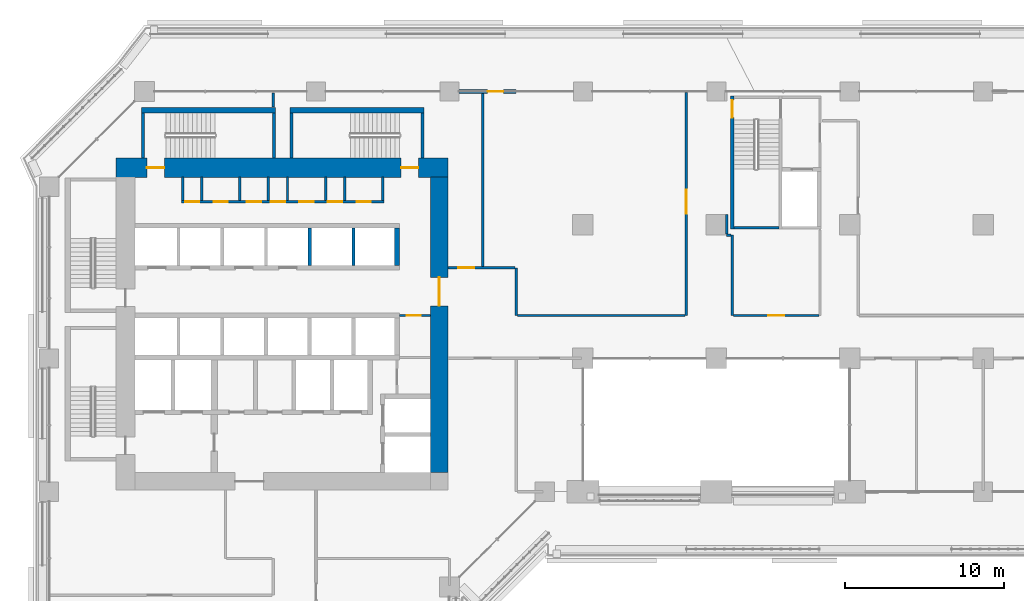
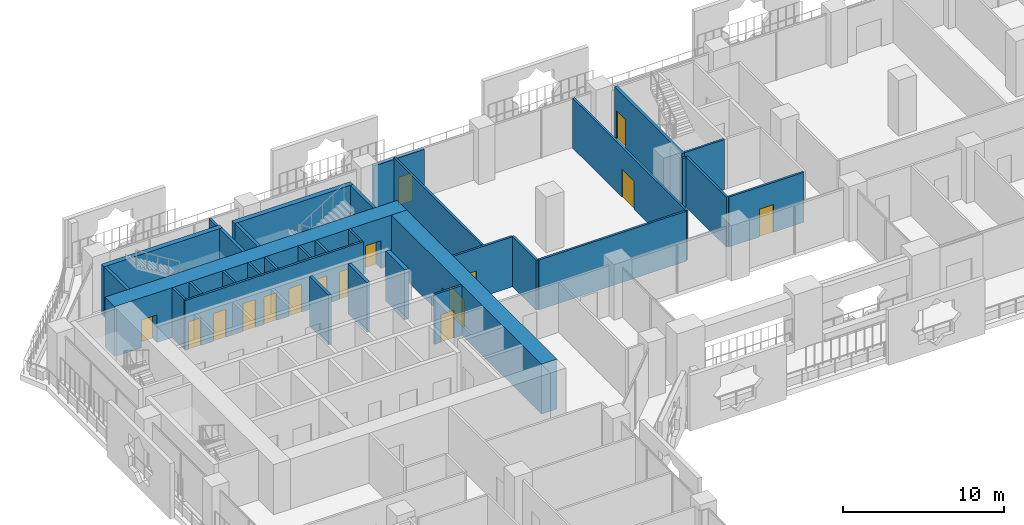
# One storey, part 16 of 28: 34 walls, 16 doors, 16 openings.
"""IFC4 building model written with IfcOpenShell, lengths in metres."""

from ifc_helpers import new_model, si_unit, direction, frame, frame_2d, origin, place, context, subcontext, project, spatial, rectangle, extrude, material, layer, layer_set, type_object, element, fill, save


model = new_model("IFC4")

# Units and contexts
model_context = context("Model", 3, precision=1e-05, world=origin(), true_north=direction((0.0, 1.0)))
body_context = subcontext(model_context, "Body", "Model", "MODEL_VIEW")
ifc_project = project(units=[si_unit("LENGTHUNIT", "METRE"), si_unit("AREAUNIT", "SQUARE_METRE"), si_unit("VOLUMEUNIT", "CUBIC_METRE"), si_unit("PLANEANGLEUNIT", "RADIAN"), si_unit("MASSUNIT", "GRAM", prefix="KILO")], contexts=[model_context])

# Site, building, storey
site_placement = place(None, origin())
site = spatial("IfcSite", under=ifc_project, at=site_placement, CompositionType="ELEMENT")
building_placement = place(site_placement, origin())
building = spatial("IfcBuilding", under=site, at=building_placement, Name="Kawkab Arch Medical Tower", CompositionType="ELEMENT")
storey_placement = place(building_placement, frame((0.0, 0.0, 47.60009765625)))
storey = spatial("IfcBuildingStorey", under=building, at=storey_placement, Name="L10", CompositionType="ELEMENT", Elevation=47.60009765625)

# Wall, opening, door
ifc_material_1 = material(Name="Concrete C60/75", Category="concrete")
ifc_layer_1 = layer(ifc_material_1, 1.10009765625)
ifc_layer_set_1 = layer_set([ifc_layer_1], Name="Concrete C60/75")
wall_type_1 = type_object("IfcWallType", Name="Core ring wall 1100 C60/75", PredefinedType="SHEAR", material=ifc_layer_set_1)
wall_1_placement = place(storey_placement, frame((24.550048828125, -24.0, 0.0), z_axis=(0.0, 0.0, 1.0), x_axis=(0.0, 1.0, 0.0)))
wall_1 = element("IfcWall", 1, at=wall_1_placement, inside=storey, type_object=wall_type_1, Name="L10 core wall", PredefinedType="SHEAR", context=body_context, shape_type="SweptSolid", body=[
    extrude(rectangle(XDim=18.60009765625, YDim=1.10009765625, at=frame_2d((9.300048828125, 0.0))), origin(), (0.0, 0.0, 1.0), 3.77978515625),
])
opening_1_placement = place(wall_1_placement, frame((10.5, 0.0, 0.0)))
opening_1 = element("IfcOpeningElement", 2, at=opening_1_placement, cuts=wall_1, Name="Opening PD", PredefinedType="OPENING", context=body_context, shape_type="SweptSolid", body=[
    extrude(rectangle(XDim=1.800048828125, YDim=2.10009765625, at=frame_2d((0.89990234375, 1.050048828125))), frame((0.0, 0.56005859375, 0.0), z_axis=(0.0, -1.0, 0.0), x_axis=(1.0, 0.0, 0.0)), (0.0, 0.0, 1.0), 1.1201171875),
])
ifc_material_2 = material(Name="Hollow metal fire door leaf")
door_type_1 = type_object("IfcDoorType", Name="Core entrance doors 1800", OperationType="DOUBLE_DOOR_SINGLE_SWING", PredefinedType="DOOR", material=ifc_material_2)
door_1_placement = place(opening_1_placement, origin())
door_1 = element("IfcDoor", 3, at=door_1_placement, inside=storey, type_object=door_type_1, Name="L10 East entrance doors", OperationType="DOUBLE_DOOR_SINGLE_SWING", OverallHeight=2.10009765625, OverallWidth=1.800048828125, PredefinedType="DOOR", context=body_context, shape_type="SweptSolid", body=[
    extrude(rectangle(XDim=1.800048828125, YDim=2.10009765625, at=frame_2d((0.89990234375, 1.050048828125))), frame((0.0, 0.02490234375, 0.0), z_axis=(0.0, -1.0, 0.0), x_axis=(1.0, 0.0, 0.0)), (0.0, 0.0, 1.0), 0.050048828125),
])
fill(opening_1, door_1)

# Wall, openings, doors
ifc_material_3 = material(Name="Concrete C60/75", Category="concrete")
ifc_layer_2 = layer(ifc_material_3, 1.199951171875)
ifc_layer_set_2 = layer_set([ifc_layer_2], Name="Concrete C60/75")
wall_type_2 = type_object("IfcWallType", Name="Core ring wall 1200 C60/75", PredefinedType="SHEAR", material=ifc_layer_set_2)
wall_2_placement = place(storey_placement, frame((4.199951171875, -4.800048828125, 0.0), z_axis=(0.0, 0.0, 1.0), x_axis=(1.0, 0.0, 0.0)))
wall_2 = element("IfcWall", 4, at=wall_2_placement, inside=storey, type_object=wall_type_2, Name="L10 core wall", PredefinedType="SHEAR", context=body_context, shape_type="SweptSolid", body=[
    extrude(rectangle(XDim=20.900146484375, YDim=1.199951171875, at=frame_2d((10.4501953125, 0.0))), origin(), (0.0, 0.0, 1.0), 3.77978515625),
])
opening_2_placement = place(wall_2_placement, frame((1.949951171875, 0.0, 0.0)))
opening_2 = element("IfcOpeningElement", 5, at=opening_2_placement, cuts=wall_2, Name="Opening SD", PredefinedType="OPENING", context=body_context, shape_type="SweptSolid", body=[
    extrude(rectangle(XDim=1.10009765625, YDim=2.10009765625, at=frame_2d((0.550048828125, 1.050048828125))), frame((0.0, 0.60986328125, 0.0), z_axis=(0.0, -1.0, 0.0), x_axis=(1.0, 0.0, 0.0)), (0.0, 0.0, 1.0), 1.219970703125),
])
opening_3_placement = place(wall_2_placement, frame((17.949951171875, 0.0, 0.0)))
opening_3 = element("IfcOpeningElement", 6, at=opening_3_placement, cuts=wall_2, Name="Opening SD", PredefinedType="OPENING", context=body_context, shape_type="SweptSolid", body=[
    extrude(rectangle(XDim=1.10009765625, YDim=2.10009765625, at=frame_2d((0.550048828125, 1.050048828125))), frame((0.0, 0.60986328125, 0.0), z_axis=(0.0, -1.0, 0.0), x_axis=(1.0, 0.0, 0.0)), (0.0, 0.0, 1.0), 1.219970703125),
])
ifc_material_4 = material(Name="Hollow metal fire door leaf")
door_type_2 = type_object("IfcDoorType", Name="Exit stair door 1100", OperationType="SINGLE_SWING_LEFT", PredefinedType="DOOR", material=ifc_material_4)
door_2_placement = place(opening_2_placement, origin())
door_2 = element("IfcDoor", 7, at=door_2_placement, inside=storey, type_object=door_type_2, Name="L10 Exit stair ST3 door", OperationType="SINGLE_SWING_LEFT", OverallHeight=2.10009765625, OverallWidth=1.10009765625, PredefinedType="DOOR", context=body_context, shape_type="SweptSolid", body=[
    extrude(rectangle(XDim=1.10009765625, YDim=2.10009765625, at=frame_2d((0.550048828125, 1.050048828125))), frame((0.0, 0.02490234375, 0.0), z_axis=(0.0, -1.0, 0.0), x_axis=(1.0, 0.0, 0.0)), (0.0, 0.0, 1.0), 0.050048828125),
])
fill(opening_2, door_2)
door_3_placement = place(opening_3_placement, origin())
door_3 = element("IfcDoor", 8, at=door_3_placement, inside=storey, type_object=door_type_2, Name="L10 Exit stair ST4 door", OperationType="SINGLE_SWING_LEFT", OverallHeight=2.10009765625, OverallWidth=1.10009765625, PredefinedType="DOOR", context=body_context, shape_type="SweptSolid", body=[
    extrude(rectangle(XDim=1.10009765625, YDim=2.10009765625, at=frame_2d((0.550048828125, 1.050048828125))), frame((0.0, 0.02490234375, 0.0), z_axis=(0.0, -1.0, 0.0), x_axis=(1.0, 0.0, 0.0)), (0.0, 0.0, 1.0), 0.050048828125),
])
fill(opening_3, door_3)

# Wall, opening, door
ifc_material_5 = material(Name="Gypsum board on steel studs", Category="steel")
ifc_layer_3 = layer(ifc_material_5, 0.14990234375)
ifc_layer_set_3 = layer_set([ifc_layer_3], Name="Gypsum board on steel studs")
wall_type_3 = type_object("IfcWallType", Name="Core room partition 150", PredefinedType="PARTITIONING", material=ifc_layer_set_3)
wall_3_placement = place(storey_placement, frame((22.050048828125, -14.10009765625, 0.0), z_axis=(0.0, 0.0, 1.0), x_axis=(1.0, 0.0, 0.0)))
wall_3 = element("IfcWall", 9, at=wall_3_placement, inside=storey, type_object=wall_type_3, Name="L10 core room partition", PredefinedType="PARTITIONING", context=body_context, shape_type="SweptSolid", body=[
    extrude(rectangle(XDim=1.949951171875, YDim=0.14990234375, at=frame_2d((0.97509765625, 0.0))), origin(), (0.0, 0.0, 1.0), 3.77978515625),
])
opening_4_placement = place(wall_3_placement, frame((0.449951171875, 0.0, 0.0)))
opening_4 = element("IfcOpeningElement", 10, at=opening_4_placement, cuts=wall_3, Name="Opening RD", PredefinedType="OPENING", context=body_context, shape_type="SweptSolid", body=[
    extrude(rectangle(XDim=0.89990234375, YDim=2.10009765625, at=frame_2d((0.449951171875, 1.050048828125))), frame((0.0, 0.0849609375, 0.0), z_axis=(0.0, -1.0, 0.0), x_axis=(1.0, 0.0, 0.0)), (0.0, 0.0, 1.0), 0.169921875),
])
ifc_material_6 = material(Name="Hollow metal fire door leaf")
door_type_3 = type_object("IfcDoorType", Name="Core room door 900", OperationType="SINGLE_SWING_LEFT", PredefinedType="DOOR", material=ifc_material_6)
door_4_placement = place(opening_4_placement, origin())
door_4 = element("IfcDoor", 11, at=door_4_placement, inside=storey, type_object=door_type_3, Name="L10 Linen store door", OperationType="SINGLE_SWING_LEFT", OverallHeight=2.10009765625, OverallWidth=0.89990234375, PredefinedType="DOOR", context=body_context, shape_type="SweptSolid", body=[
    extrude(rectangle(XDim=0.89990234375, YDim=2.10009765625, at=frame_2d((0.449951171875, 1.050048828125))), frame((0.0, 0.02490234375, 0.0), z_axis=(0.0, -1.0, 0.0), x_axis=(1.0, 0.0, 0.0)), (0.0, 0.0, 1.0), 0.050048828125),
])
fill(opening_4, door_4)

# Wall, openings, doors
wall_4_placement = place(storey_placement, frame((8.324951171875, -6.949951171875, 0.0), z_axis=(0.0, 0.0, 1.0), x_axis=(1.0, 0.0, 0.0)))
wall_4 = element("IfcWall", 12, at=wall_4_placement, inside=storey, type_object=wall_type_3, Name="L10 core room partition", PredefinedType="PARTITIONING", context=body_context, shape_type="SweptSolid", body=[
    extrude(rectangle(XDim=12.75, YDim=0.14990234375, at=frame_2d((6.375, 0.0))), origin(), (0.0, 0.0, 1.0), 3.77978515625),
])
opening_5_placement = place(wall_4_placement, frame((0.22509765625, 0.0, 0.0)))
opening_5 = element("IfcOpeningElement", 13, at=opening_5_placement, cuts=wall_4, Name="Opening RD", PredefinedType="OPENING", context=body_context, shape_type="SweptSolid", body=[
    extrude(rectangle(XDim=0.89990234375, YDim=2.10009765625, at=frame_2d((0.449951171875, 1.050048828125))), frame((0.0, 0.0849609375, 0.0), z_axis=(0.0, -1.0, 0.0), x_axis=(1.0, 0.0, 0.0)), (0.0, 0.0, 1.0), 0.169921875),
])
opening_6_placement = place(wall_4_placement, frame((2.02490234375, 0.0, 0.0)))
opening_6 = element("IfcOpeningElement", 14, at=opening_6_placement, cuts=wall_4, Name="Opening RD", PredefinedType="OPENING", context=body_context, shape_type="SweptSolid", body=[
    extrude(rectangle(XDim=0.89990234375, YDim=2.10009765625, at=frame_2d((0.449951171875, 1.050048828125))), frame((0.0, 0.0849609375, 0.0), z_axis=(0.0, -1.0, 0.0), x_axis=(1.0, 0.0, 0.0)), (0.0, 0.0, 1.0), 0.169921875),
])
opening_7_placement = place(wall_4_placement, frame((4.125, 0.0, 0.0)))
opening_7 = element("IfcOpeningElement", 15, at=opening_7_placement, cuts=wall_4, Name="Opening RD", PredefinedType="OPENING", context=body_context, shape_type="SweptSolid", body=[
    extrude(rectangle(XDim=0.89990234375, YDim=2.10009765625, at=frame_2d((0.449951171875, 1.050048828125))), frame((0.0, 0.0849609375, 0.0), z_axis=(0.0, -1.0, 0.0), x_axis=(1.0, 0.0, 0.0)), (0.0, 0.0, 1.0), 0.169921875),
])
opening_8_placement = place(wall_4_placement, frame((5.625, 0.0, 0.0)))
opening_8 = element("IfcOpeningElement", 16, at=opening_8_placement, cuts=wall_4, Name="Opening RD", PredefinedType="OPENING", context=body_context, shape_type="SweptSolid", body=[
    extrude(rectangle(XDim=0.89990234375, YDim=2.10009765625, at=frame_2d((0.449951171875, 1.050048828125))), frame((0.0, 0.0849609375, 0.0), z_axis=(0.0, -1.0, 0.0), x_axis=(1.0, 0.0, 0.0)), (0.0, 0.0, 1.0), 0.169921875),
])
opening_9_placement = place(wall_4_placement, frame((7.425048828125, 0.0, 0.0)))
opening_9 = element("IfcOpeningElement", 17, at=opening_9_placement, cuts=wall_4, Name="Opening RD", PredefinedType="OPENING", context=body_context, shape_type="SweptSolid", body=[
    extrude(rectangle(XDim=0.89990234375, YDim=2.10009765625, at=frame_2d((0.449951171875, 1.050048828125))), frame((0.0, 0.0849609375, 0.0), z_axis=(0.0, -1.0, 0.0), x_axis=(1.0, 0.0, 0.0)), (0.0, 0.0, 1.0), 0.169921875),
])
opening_10_placement = place(wall_4_placement, frame((9.22509765625, 0.0, 0.0)))
opening_10 = element("IfcOpeningElement", 18, at=opening_10_placement, cuts=wall_4, Name="Opening RD", PredefinedType="OPENING", context=body_context, shape_type="SweptSolid", body=[
    extrude(rectangle(XDim=0.89990234375, YDim=2.10009765625, at=frame_2d((0.449951171875, 1.050048828125))), frame((0.0, 0.0849609375, 0.0), z_axis=(0.0, -1.0, 0.0), x_axis=(1.0, 0.0, 0.0)), (0.0, 0.0, 1.0), 0.169921875),
])
opening_11_placement = place(wall_4_placement, frame((11.02490234375, 0.0, 0.0)))
opening_11 = element("IfcOpeningElement", 19, at=opening_11_placement, cuts=wall_4, Name="Opening RD", PredefinedType="OPENING", context=body_context, shape_type="SweptSolid", body=[
    extrude(rectangle(XDim=0.89990234375, YDim=2.10009765625, at=frame_2d((0.449951171875, 1.050048828125))), frame((0.0, 0.0849609375, 0.0), z_axis=(0.0, -1.0, 0.0), x_axis=(1.0, 0.0, 0.0)), (0.0, 0.0, 1.0), 0.169921875),
])
door_5_placement = place(opening_5_placement, origin())
door_5 = element("IfcDoor", 20, at=door_5_placement, inside=storey, type_object=door_type_3, Name="L10 Electrical riser room door", OperationType="SINGLE_SWING_LEFT", OverallHeight=2.10009765625, OverallWidth=0.89990234375, PredefinedType="DOOR", context=body_context, shape_type="SweptSolid", body=[
    extrude(rectangle(XDim=0.89990234375, YDim=2.10009765625, at=frame_2d((0.449951171875, 1.050048828125))), frame((0.0, 0.02490234375, 0.0), z_axis=(0.0, -1.0, 0.0), x_axis=(1.0, 0.0, 0.0)), (0.0, 0.0, 1.0), 0.050048828125),
])
fill(opening_5, door_5)
door_6_placement = place(opening_6_placement, origin())
door_6 = element("IfcDoor", 21, at=door_6_placement, inside=storey, type_object=door_type_3, Name="L10 Comms room door", OperationType="SINGLE_SWING_LEFT", OverallHeight=2.10009765625, OverallWidth=0.89990234375, PredefinedType="DOOR", context=body_context, shape_type="SweptSolid", body=[
    extrude(rectangle(XDim=0.89990234375, YDim=2.10009765625, at=frame_2d((0.449951171875, 1.050048828125))), frame((0.0, 0.02490234375, 0.0), z_axis=(0.0, -1.0, 0.0), x_axis=(1.0, 0.0, 0.0)), (0.0, 0.0, 1.0), 0.050048828125),
])
fill(opening_6, door_6)
door_7_placement = place(opening_7_placement, origin())
door_7 = element("IfcDoor", 22, at=door_7_placement, inside=storey, type_object=door_type_3, Name="L10 Medical gas plant room door", OperationType="SINGLE_SWING_LEFT", OverallHeight=2.10009765625, OverallWidth=0.89990234375, PredefinedType="DOOR", context=body_context, shape_type="SweptSolid", body=[
    extrude(rectangle(XDim=0.89990234375, YDim=2.10009765625, at=frame_2d((0.449951171875, 1.050048828125))), frame((0.0, 0.02490234375, 0.0), z_axis=(0.0, -1.0, 0.0), x_axis=(1.0, 0.0, 0.0)), (0.0, 0.0, 1.0), 0.050048828125),
])
fill(opening_7, door_7)
door_8_placement = place(opening_8_placement, origin())
door_8 = element("IfcDoor", 23, at=door_8_placement, inside=storey, type_object=door_type_3, Name="L10 Sprinkler valve room door", OperationType="SINGLE_SWING_LEFT", OverallHeight=2.10009765625, OverallWidth=0.89990234375, PredefinedType="DOOR", context=body_context, shape_type="SweptSolid", body=[
    extrude(rectangle(XDim=0.89990234375, YDim=2.10009765625, at=frame_2d((0.449951171875, 1.050048828125))), frame((0.0, 0.02490234375, 0.0), z_axis=(0.0, -1.0, 0.0), x_axis=(1.0, 0.0, 0.0)), (0.0, 0.0, 1.0), 0.050048828125),
])
fill(opening_8, door_8)
door_9_placement = place(opening_9_placement, origin())
door_9 = element("IfcDoor", 24, at=door_9_placement, inside=storey, type_object=door_type_3, Name="L10 Housekeeping store door", OperationType="SINGLE_SWING_LEFT", OverallHeight=2.10009765625, OverallWidth=0.89990234375, PredefinedType="DOOR", context=body_context, shape_type="SweptSolid", body=[
    extrude(rectangle(XDim=0.89990234375, YDim=2.10009765625, at=frame_2d((0.449951171875, 1.050048828125))), frame((0.0, 0.02490234375, 0.0), z_axis=(0.0, -1.0, 0.0), x_axis=(1.0, 0.0, 0.0)), (0.0, 0.0, 1.0), 0.050048828125),
])
fill(opening_9, door_9)
door_10_placement = place(opening_10_placement, origin())
door_10 = element("IfcDoor", 25, at=door_10_placement, inside=storey, type_object=door_type_3, Name="L10 Electrical riser room door", OperationType="SINGLE_SWING_LEFT", OverallHeight=2.10009765625, OverallWidth=0.89990234375, PredefinedType="DOOR", context=body_context, shape_type="SweptSolid", body=[
    extrude(rectangle(XDim=0.89990234375, YDim=2.10009765625, at=frame_2d((0.449951171875, 1.050048828125))), frame((0.0, 0.02490234375, 0.0), z_axis=(0.0, -1.0, 0.0), x_axis=(1.0, 0.0, 0.0)), (0.0, 0.0, 1.0), 0.050048828125),
])
fill(opening_10, door_10)
door_11_placement = place(opening_11_placement, origin())
door_11 = element("IfcDoor", 26, at=door_11_placement, inside=storey, type_object=door_type_3, Name="L10 General store door", OperationType="SINGLE_SWING_LEFT", OverallHeight=2.10009765625, OverallWidth=0.89990234375, PredefinedType="DOOR", context=body_context, shape_type="SweptSolid", body=[
    extrude(rectangle(XDim=0.89990234375, YDim=2.10009765625, at=frame_2d((0.449951171875, 1.050048828125))), frame((0.0, 0.02490234375, 0.0), z_axis=(0.0, -1.0, 0.0), x_axis=(1.0, 0.0, 0.0)), (0.0, 0.0, 1.0), 0.050048828125),
])
fill(opening_11, door_11)

# Walls
for number, where, z_axis, x_axis, name in (
    (27, (8.39990234375, -6.875, 0.0), (0.0, 0.0, 1.0), (0.0, 1.0, 0.0), "L10 core room partition"),
    (28, (9.60009765625, -6.875, 0.0), (0.0, 0.0, 1.0), (0.0, 1.0, 0.0), "L10 core room partition"),
    (29, (12.0, -6.875, 0.0), (0.0, 0.0, 1.0), (0.0, 1.0, 0.0), "L10 core room partition"),
    (30, (13.800048828125, -6.875, 0.0), (0.0, 0.0, 1.0), (0.0, 1.0, 0.0), "L10 core room partition"),
    (31, (15.0, -6.875, 0.0), (0.0, 0.0, 1.0), (0.0, 1.0, 0.0), "L10 core room partition"),
    (32, (17.39990234375, -6.875, 0.0), (0.0, 0.0, 1.0), (0.0, 1.0, 0.0), "L10 core room partition"),
    (33, (18.60009765625, -6.875, 0.0), (0.0, 0.0, 1.0), (0.0, 1.0, 0.0), "L10 core room partition"),
    (34, (21.0, -6.875, 0.0), (0.0, 0.0, 1.0), (0.0, 1.0, 0.0), "L10 core room partition"),
):
    element("IfcWall", number, at=place(storey_placement, frame(where, z_axis=z_axis, x_axis=x_axis)), inside=storey, type_object=wall_type_3, Name=name, PredefinedType="PARTITIONING", context=body_context, shape_type="SweptSolid", body=[
        extrude(rectangle(XDim=1.47509765625, YDim=0.14990234375, at=frame_2d((0.737548828125, 0.0))), origin(), (0.0, 0.0, 1.0), 3.77978515625),
    ])
ifc_material_7 = material(Name="Concrete C60/75", Category="concrete")
ifc_layer_4 = layer(ifc_material_7, 0.300048828125)
ifc_layer_set_4 = layer_set([ifc_layer_4], Name="Concrete C60/75")
wall_type_4 = type_object("IfcWallType", Name="Core shear wall 300 C60/75", PredefinedType="SHEAR", material=ifc_layer_set_4)
wall_5_placement = place(storey_placement, frame((21.89990234375, -10.949951171875, 0.0), z_axis=(0.0, 0.0, 1.0), x_axis=(0.0, 1.0, 0.0)))
element("IfcWall", 35, at=wall_5_placement, inside=storey, type_object=wall_type_4, Name="L10 core shear wall", PredefinedType="SHEAR", context=body_context, shape_type="SweptSolid", body=[
    extrude(rectangle(XDim=2.349853515625, YDim=0.300048828125, at=frame_2d((1.1748046875, 0.0))), origin(), (0.0, 0.0, 1.0), 3.77978515625),
])

# Wall, opening, door
ifc_material_8 = material(Name="Bronze clad insulated wall panel")
ifc_layer_5 = layer(ifc_material_8, 0.25)
ifc_layer_set_5 = layer_set([ifc_layer_5], Name="Bronze clad insulated wall panel")
wall_type_5 = type_object("IfcWallType", Name="External wall bay 250", PredefinedType="SOLIDWALL", material=ifc_layer_set_5)
wall_6_placement = place(storey_placement, frame((29.39990234375, 0.0, 0.0), z_axis=(0.0, 0.0, 1.0), x_axis=(-1.0, 0.0, 0.0)))
wall_6 = element("IfcWall", 36, at=wall_6_placement, inside=storey, type_object=wall_type_5, Name="External wall bay L10.R09.6.2", PredefinedType="SOLIDWALL", context=body_context, shape_type="SweptSolid", body=[
    extrude(rectangle(XDim=3.599853515625, YDim=0.25, at=frame_2d((1.7998046875, 0.0))), origin(), (0.0, 0.0, 1.0), 3.659912109375),
])
opening_12_placement = place(wall_6_placement, frame((0.800048828125, 0.0, 0.0)))
opening_12 = element("IfcOpeningElement", 37, at=opening_12_placement, cuts=wall_6, Name="Opening B10-702", PredefinedType="OPENING", context=body_context, shape_type="SweptSolid", body=[
    extrude(rectangle(XDim=1.0, YDim=2.10009765625, at=frame_2d((0.5, 1.050048828125))), frame((0.0, 0.135009765625, 0.0), z_axis=(0.0, -1.0, 0.0), x_axis=(1.0, 0.0, 0.0)), (0.0, 0.0, 1.0), 0.27001953125),
])
ifc_material_9 = material(Name="Bronze anodised aluminium door with tinted glass", Category="aluminium")
door_type_4 = type_object("IfcDoorType", Name="Single external door 1000 x 2100", OperationType="SINGLE_SWING_LEFT", PredefinedType="DOOR", material=ifc_material_9)
door_12_placement = place(opening_12_placement, origin())
door_12 = element("IfcDoor", 38, at=door_12_placement, inside=storey, type_object=door_type_4, Name="External door L10.R09.6.2", OperationType="SINGLE_SWING_LEFT", OverallHeight=2.10009765625, OverallWidth=1.0, PredefinedType="DOOR", context=body_context, shape_type="SweptSolid", body=[
    extrude(rectangle(XDim=1.0, YDim=2.10009765625, at=frame_2d((0.5, 1.050048828125))), frame((0.0, 0.02490234375, 0.0), z_axis=(0.0, -1.0, 0.0), x_axis=(1.0, 0.0, 0.0)), (0.0, 0.0, 1.0), 0.050048828125),
])
fill(opening_12, door_12)

# Walls
ifc_material_10 = material(Name="Dense concrete blockwork", Category="masonry")
ifc_layer_6 = layer(ifc_material_10, 0.199951171875)
ifc_layer_set_6 = layer_set([ifc_layer_6], Name="Dense concrete blockwork")
wall_type_6 = type_object("IfcWallType", Name="Lift shaft partition 200", PredefinedType="PARTITIONING", material=ifc_layer_set_6)
for number, where, z_axis, x_axis, name in (
    (39, (16.39990234375, -10.949951171875, 0.0), (0.0, 0.0, 1.0), (0.0, 1.0, 0.0), "L10 lift shaft partition"),
    (40, (19.14990234375, -10.949951171875, 0.0), (0.0, 0.0, 1.0), (0.0, 1.0, 0.0), "L10 lift shaft partition"),
):
    element("IfcWall", number, at=place(storey_placement, frame(where, z_axis=z_axis, x_axis=x_axis)), inside=storey, type_object=wall_type_6, Name=name, PredefinedType="PARTITIONING", context=body_context, shape_type="SweptSolid", body=[
        extrude(rectangle(XDim=2.349853515625, YDim=0.199951171875, at=frame_2d((1.1748046875, 0.0))), origin(), (0.0, 0.0, 1.0), 3.77978515625),
    ])
ifc_material_11 = material(Name="Gypsum board partition on steel studs, mineral wool", Category="steel")
ifc_layer_7 = layer(ifc_material_11, 0.14990234375)
ifc_layer_set_7 = layer_set([ifc_layer_7], Name="Gypsum board partition on steel studs, mineral wool")
wall_type_7 = type_object("IfcWallType", Name="Partition 150", PredefinedType="PARTITIONING", material=ifc_layer_set_7)
wall_7_placement = place(storey_placement, frame((29.47509765625, -14.10009765625, 0.0), z_axis=(0.0, 0.0, 1.0), x_axis=(1.0, 0.0, 0.0)))
element("IfcWall", 41, at=wall_7_placement, inside=storey, type_object=wall_type_7, Name="Partition 150 w027", PredefinedType="PARTITIONING", context=body_context, shape_type="SweptSolid", body=[
    extrude(rectangle(XDim=10.556884765625, YDim=0.14990234375, at=frame_2d((5.2783203125, 0.0))), origin(), (0.0, 0.0, 1.0), 3.77978515625),
])

# Wall, opening, door
wall_8_placement = place(storey_placement, frame((43.074951171875, -14.10009765625, 0.0), z_axis=(0.0, 0.0, 1.0), x_axis=(1.0, 0.0, 0.0)))
wall_8 = element("IfcWall", 42, at=wall_8_placement, inside=storey, type_object=wall_type_7, Name="Partition 150 w028", PredefinedType="PARTITIONING", context=body_context, shape_type="SweptSolid", body=[
    extrude(rectangle(XDim=5.375, YDim=0.14990234375, at=frame_2d((2.6875, 0.0))), origin(), (0.0, 0.0, 1.0), 3.77978515625),
])
opening_13_placement = place(wall_8_placement, frame((2.18798828125, 0.0, 0.0)))
opening_13 = element("IfcOpeningElement", 43, at=opening_13_placement, cuts=wall_8, Name="Opening B10-029", PredefinedType="OPENING", context=body_context, shape_type="SweptSolid", body=[
    extrude(rectangle(XDim=1.0, YDim=2.10009765625, at=frame_2d((0.5, 1.050048828125))), frame((0.0, 0.0849609375, 0.0), z_axis=(0.0, -1.0, 0.0), x_axis=(1.0, 0.0, 0.0)), (0.0, 0.0, 1.0), 0.169921875),
])
ifc_material_12 = material(Name="Hollow metal door leaf")
door_type_5 = type_object("IfcDoorType", Name="Single door 1000x2100 FD30S", OperationType="NOTDEFINED", PredefinedType="DOOR", material=ifc_material_12)
door_13_placement = place(opening_13_placement, origin())
door_13 = element("IfcDoor", 44, at=door_13_placement, inside=storey, type_object=door_type_5, Name="Door B10-029", OperationType="SINGLE_SWING_LEFT", OverallHeight=2.10009765625, OverallWidth=1.0, PredefinedType="DOOR", context=body_context, shape_type="SweptSolid", body=[
    extrude(rectangle(XDim=1.0, YDim=2.10009765625, at=frame_2d((0.5, 1.050048828125))), frame((0.0, 0.02490234375, 0.0), z_axis=(0.0, -1.0, 0.0), x_axis=(1.0, 0.0, 0.0)), (0.0, 0.0, 1.0), 0.050048828125),
])
fill(opening_13, door_13)

wall_9_placement = place(storey_placement, frame((25.10009765625, -11.10009765625, 0.0), z_axis=(0.0, 0.0, 1.0), x_axis=(1.0, 0.0, 0.0)))
wall_9 = element("IfcWall", 45, at=wall_9_placement, inside=storey, type_object=wall_type_7, Name="Partition 150 w030", PredefinedType="PARTITIONING", context=body_context, shape_type="SweptSolid", body=[
    extrude(rectangle(XDim=4.224853515625, YDim=0.14990234375, at=frame_2d((2.1123046875, 0.0))), origin(), (0.0, 0.0, 1.0), 3.77978515625),
])
opening_14_placement = place(wall_9_placement, frame((0.64990234375, 0.0, 0.0)))
opening_14 = element("IfcOpeningElement", 46, at=opening_14_placement, cuts=wall_9, Name="Opening B10-010", PredefinedType="OPENING", context=body_context, shape_type="SweptSolid", body=[
    extrude(rectangle(XDim=1.0, YDim=2.10009765625, at=frame_2d((0.5, 1.050048828125))), frame((0.0, 0.0849609375, 0.0), z_axis=(0.0, -1.0, 0.0), x_axis=(1.0, 0.0, 0.0)), (0.0, 0.0, 1.0), 0.169921875),
])
ifc_material_13 = material(Name="Timber door leaf", Category="wood")
door_type_6 = type_object("IfcDoorType", Name="Single door 1000x2100", OperationType="NOTDEFINED", PredefinedType="DOOR", material=ifc_material_13)
door_14_placement = place(opening_14_placement, origin())
door_14 = element("IfcDoor", 47, at=door_14_placement, inside=storey, type_object=door_type_6, Name="Door B10-010", OperationType="SINGLE_SWING_LEFT", OverallHeight=2.10009765625, OverallWidth=1.0, PredefinedType="DOOR", context=body_context, shape_type="SweptSolid", body=[
    extrude(rectangle(XDim=1.0, YDim=2.10009765625, at=frame_2d((0.5, 1.050048828125))), frame((0.0, 0.02490234375, 0.0), z_axis=(0.0, -1.0, 0.0), x_axis=(1.0, 0.0, 0.0)), (0.0, 0.0, 1.0), 0.050048828125),
])
fill(opening_14, door_14)

# Walls
wall_10_placement = place(storey_placement, frame((42.65087890625, -9.050048828125, 0.0), z_axis=(0.0, 0.0, 1.0), x_axis=(1.0, 0.0, 0.0)))
element("IfcWall", 48, at=wall_10_placement, inside=storey, type_object=wall_type_7, Name="Partition 150 w031", PredefinedType="PARTITIONING", context=body_context, shape_type="SweptSolid", body=[
    extrude(rectangle(XDim=0.274169921875, YDim=0.14990234375, at=frame_2d((0.13720703125, 0.0))), origin(), (0.0, 0.0, 1.0), 3.77978515625),
])
wall_11_placement = place(storey_placement, frame((14.10009765625, -0.969970703125, 0.0), z_axis=(0.0, 0.0, 1.0), x_axis=(0.0, 1.0, 0.0)))
element("IfcWall", 49, at=wall_11_placement, inside=storey, type_object=wall_type_7, Name="Partition 150 w038", PredefinedType="PARTITIONING", context=body_context, shape_type="SweptSolid", body=[
    extrude(rectangle(XDim=0.889892578125, YDim=0.14990234375, at=frame_2d((0.44482421875, 0.0))), origin(), (0.0, 0.0, 1.0), 3.77978515625),
])
wall_12_placement = place(storey_placement, frame((27.300048828125, -11.02490234375, 0.0), z_axis=(0.0, 0.0, 1.0), x_axis=(0.0, 1.0, 0.0)))
element("IfcWall", 50, at=wall_12_placement, inside=storey, type_object=wall_type_7, Name="Partition 150 w048", PredefinedType="PARTITIONING", context=body_context, shape_type="SweptSolid", body=[
    extrude(rectangle(XDim=10.94482421875, YDim=0.14990234375, at=frame_2d((5.472412109375, 0.0))), origin(), (0.0, 0.0, 1.0), 3.77978515625),
])
wall_13_placement = place(storey_placement, frame((29.39990234375, -14.10009765625, 0.0), z_axis=(0.0, 0.0, 1.0), x_axis=(0.0, 1.0, 0.0)))
element("IfcWall", 51, at=wall_13_placement, inside=storey, type_object=wall_type_7, Name="Partition 150 w050", PredefinedType="PARTITIONING", context=body_context, shape_type="SweptSolid", body=[
    extrude(rectangle(XDim=3.0, YDim=0.14990234375, at=frame_2d((1.5, 0.0))), origin(), (0.0, 0.0, 1.0), 3.77978515625),
])

# Wall, opening, door
wall_14_placement = place(storey_placement, frame((40.10693359375, -14.10009765625, 0.0), z_axis=(0.0, 0.0, 1.0), x_axis=(0.0, 1.0, 0.0)))
wall_14 = element("IfcWall", 52, at=wall_14_placement, inside=storey, type_object=wall_type_7, Name="Partition 150 w051", PredefinedType="PARTITIONING", context=body_context, shape_type="SweptSolid", body=[
    extrude(rectangle(XDim=14.02001953125, YDim=0.14990234375, at=frame_2d((7.010009765625, 0.0))), origin(), (0.0, 0.0, 1.0), 3.77978515625),
])
opening_15_placement = place(wall_14_placement, frame((6.39990234375, 0.0, 0.0)))
opening_15 = element("IfcOpeningElement", 53, at=opening_15_placement, cuts=wall_14, Name="Opening B10-002", PredefinedType="OPENING", context=body_context, shape_type="SweptSolid", body=[
    extrude(rectangle(XDim=1.5, YDim=2.10009765625, at=frame_2d((0.75, 1.050048828125))), frame((0.0, 0.0849609375, 0.0), z_axis=(0.0, -1.0, 0.0), x_axis=(1.0, 0.0, 0.0)), (0.0, 0.0, 1.0), 0.169921875),
])
ifc_material_14 = material(Name="Hollow metal door leaf")
door_type_7 = type_object("IfcDoorType", Name="Double door 1500x2100 FD30S", OperationType="NOTDEFINED", PredefinedType="DOOR", material=ifc_material_14)
door_15_placement = place(opening_15_placement, origin())
door_15 = element("IfcDoor", 54, at=door_15_placement, inside=storey, type_object=door_type_7, Name="Door B10-002", OperationType="DOUBLE_DOOR_SINGLE_SWING", OverallHeight=2.10009765625, OverallWidth=1.5, PredefinedType="DOOR", context=body_context, shape_type="SweptSolid", body=[
    extrude(rectangle(XDim=1.5, YDim=2.10009765625, at=frame_2d((0.75, 1.050048828125))), frame((0.0, 0.02490234375, 0.0), z_axis=(0.0, -1.0, 0.0), x_axis=(1.0, 0.0, 0.0)), (0.0, 0.0, 1.0), 0.050048828125),
])
fill(opening_15, door_15)

# Walls
wall_15_placement = place(storey_placement, frame((42.64990234375, -8.97509765625, 0.0), z_axis=(0.0, 0.0, 1.0), x_axis=(0.0, 1.0, 0.0)))
element("IfcWall", 55, at=wall_15_placement, inside=storey, type_object=wall_type_7, Name="Partition 150 w053", PredefinedType="PARTITIONING", context=body_context, shape_type="SweptSolid", body=[
    extrude(rectangle(XDim=1.22412109375, YDim=0.14990234375, at=frame_2d((0.612060546875, 0.0))), origin(), (0.0, 0.0, 1.0), 3.77978515625),
])
wall_16_placement = place(storey_placement, frame((43.0, -14.10009765625, 0.0), z_axis=(0.0, 0.0, 1.0), x_axis=(0.0, 1.0, 0.0)))
element("IfcWall", 56, at=wall_16_placement, inside=storey, type_object=wall_type_7, Name="Partition 150 w054", PredefinedType="PARTITIONING", context=body_context, shape_type="SweptSolid", body=[
    extrude(rectangle(XDim=5.050048828125, YDim=0.14990234375, at=frame_2d((2.52490234375, 0.0))), origin(), (0.0, 0.0, 1.0), 3.77978515625),
])
ifc_material_15 = material(Name="Concrete C50/60", Category="concrete")
ifc_layer_8 = layer(ifc_material_15, 0.14990234375)
ifc_layer_set_8 = layer_set([ifc_layer_8], Name="Concrete C50/60")
wall_type_8 = type_object("IfcWallType", Name="Stair enclosure wall 150 C50/60", PredefinedType="SHEAR", material=ifc_layer_set_8)
wall_17_placement = place(storey_placement, frame((43.10009765625, -8.574951171875, 0.0), z_axis=(0.0, 0.0, 1.0), x_axis=(1.0, 0.0, 0.0)))
element("IfcWall", 57, at=wall_17_placement, inside=storey, type_object=wall_type_8, Name="L10 stair enclosure wall", PredefinedType="SHEAR", context=body_context, shape_type="SweptSolid", body=[
    extrude(rectangle(XDim=2.849853515625, YDim=0.14990234375, at=frame_2d((1.4248046875, 0.0))), origin(), (0.0, 0.0, 1.0), 3.77978515625),
])
ifc_material_16 = material(Name="Concrete C50/60", Category="concrete")
ifc_layer_9 = layer(ifc_material_16, 0.199951171875)
ifc_layer_set_9 = layer_set([ifc_layer_9], Name="Concrete C50/60")
wall_type_9 = type_object("IfcWallType", Name="Stair enclosure wall 200 C50/60", PredefinedType="SHEAR", material=ifc_layer_set_9)
for number, where, z_axis, x_axis, name in (
    (58, (5.89990234375, -4.199951171875, 0.0), (0.0, 0.0, 1.0), (0.0, 1.0, 0.0), "L10 stair enclosure wall"),
    (59, (14.14990234375, -4.199951171875, 0.0), (0.0, 0.0, 1.0), (0.0, 1.0, 0.0), "L10 stair enclosure wall"),
    (60, (15.25, -4.199951171875, 0.0), (0.0, 0.0, 1.0), (0.0, 1.0, 0.0), "L10 stair enclosure wall"),
    (61, (23.5, -4.199951171875, 0.0), (0.0, 0.0, 1.0), (0.0, 1.0, 0.0), "L10 stair enclosure wall"),
):
    element("IfcWall", number, at=place(storey_placement, frame(where, z_axis=z_axis, x_axis=x_axis)), inside=storey, type_object=wall_type_9, Name=name, PredefinedType="SHEAR", context=body_context, shape_type="SweptSolid", body=[
        extrude(rectangle(XDim=2.849853515625, YDim=0.199951171875, at=frame_2d((1.4248046875, 0.0))), origin(), (0.0, 0.0, 1.0), 3.77978515625),
    ])

# Wall, opening, door
wall_18_placement = place(storey_placement, frame((43.0, -8.64990234375, 0.0), z_axis=(0.0, 0.0, 1.0), x_axis=(0.0, 1.0, 0.0)))
wall_18 = element("IfcWall", 62, at=wall_18_placement, inside=storey, type_object=wall_type_9, Name="L10 stair enclosure wall", PredefinedType="SHEAR", context=body_context, shape_type="SweptSolid", body=[
    extrude(rectangle(XDim=8.349853515625, YDim=0.199951171875, at=frame_2d((4.1748046875, 0.0))), origin(), (0.0, 0.0, 1.0), 3.77978515625),
])
opening_16_placement = place(wall_18_placement, frame((7.0, 0.0, 0.0)))
opening_16 = element("IfcOpeningElement", 63, at=opening_16_placement, cuts=wall_18, Name="Opening SD", PredefinedType="OPENING", context=body_context, shape_type="SweptSolid", body=[
    extrude(rectangle(XDim=1.10009765625, YDim=2.10009765625, at=frame_2d((0.550048828125, 1.050048828125))), frame((0.0, 0.10986328125, 0.0), z_axis=(0.0, -1.0, 0.0), x_axis=(1.0, 0.0, 0.0)), (0.0, 0.0, 1.0), 0.219970703125),
])
door_16_placement = place(opening_16_placement, frame((1.10009765625, 0.0, 0.0), z_axis=(0.0, 0.0, 1.0), x_axis=(-1.0, 0.0, 0.0)))
door_16 = element("IfcDoor", 64, at=door_16_placement, inside=storey, type_object=door_type_2, Name="L10 Exit stair ST5 door", OperationType="SINGLE_SWING_LEFT", OverallHeight=2.10009765625, OverallWidth=1.10009765625, PredefinedType="DOOR", context=body_context, shape_type="SweptSolid", body=[
    extrude(rectangle(XDim=1.10009765625, YDim=2.10009765625, at=frame_2d((0.550048828125, 1.050048828125))), frame((0.0, 0.02490234375, 0.0), z_axis=(0.0, -1.0, 0.0), x_axis=(1.0, 0.0, 0.0)), (0.0, 0.0, 1.0), 0.050048828125),
])
fill(opening_16, door_16)

# Walls
ifc_material_17 = material(Name="Concrete C50/60", Category="concrete")
ifc_layer_10 = layer(ifc_material_17, 0.35009765625)
ifc_layer_set_10 = layer_set([ifc_layer_10], Name="Concrete C50/60")
wall_type_10 = type_object("IfcWallType", Name="Stair enclosure wall 350 C50/60", PredefinedType="SHEAR", material=ifc_layer_set_10)
wall_19_placement = place(storey_placement, frame((5.800048828125, -1.175048828125, 0.0), z_axis=(0.0, 0.0, 1.0), x_axis=(1.0, 0.0, 0.0)))
element("IfcWall", 65, at=wall_19_placement, inside=storey, type_object=wall_type_10, Name="L10 stair enclosure wall", PredefinedType="SHEAR", context=body_context, shape_type="SweptSolid", body=[
    extrude(rectangle(XDim=8.449951171875, YDim=0.35009765625, at=frame_2d((4.22509765625, 0.0))), origin(), (0.0, 0.0, 1.0), 3.77978515625),
])
wall_20_placement = place(storey_placement, frame((15.14990234375, -1.175048828125, 0.0), z_axis=(0.0, 0.0, 1.0), x_axis=(1.0, 0.0, 0.0)))
element("IfcWall", 66, at=wall_20_placement, inside=storey, type_object=wall_type_10, Name="L10 stair enclosure wall", PredefinedType="SHEAR", context=body_context, shape_type="SweptSolid", body=[
    extrude(rectangle(XDim=8.4501953125, YDim=0.35009765625, at=frame_2d((4.22509765625, 0.0))), origin(), (0.0, 0.0, 1.0), 3.77978515625),
])

save(model, "model.ifc")
